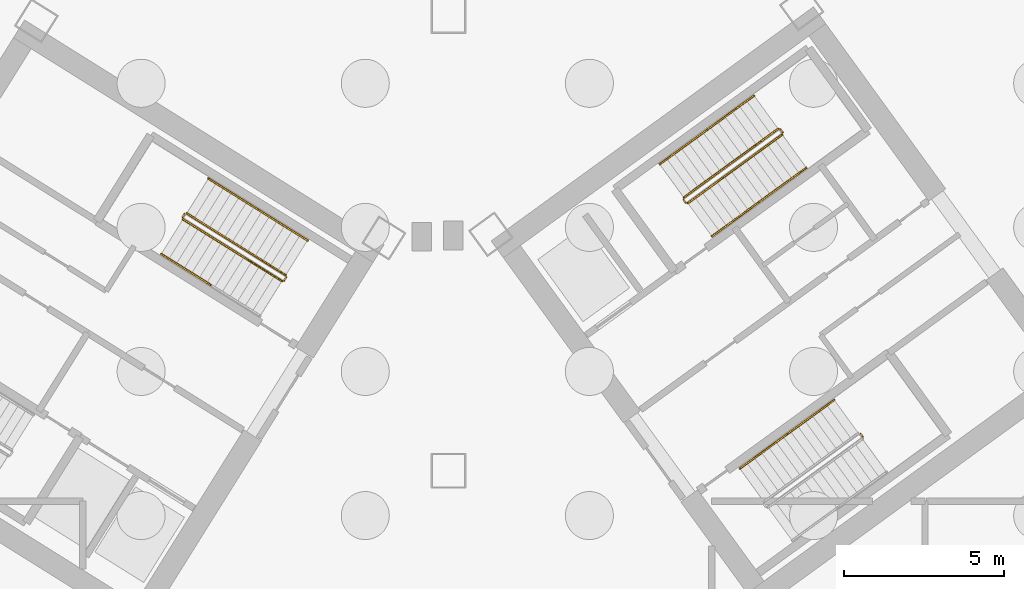
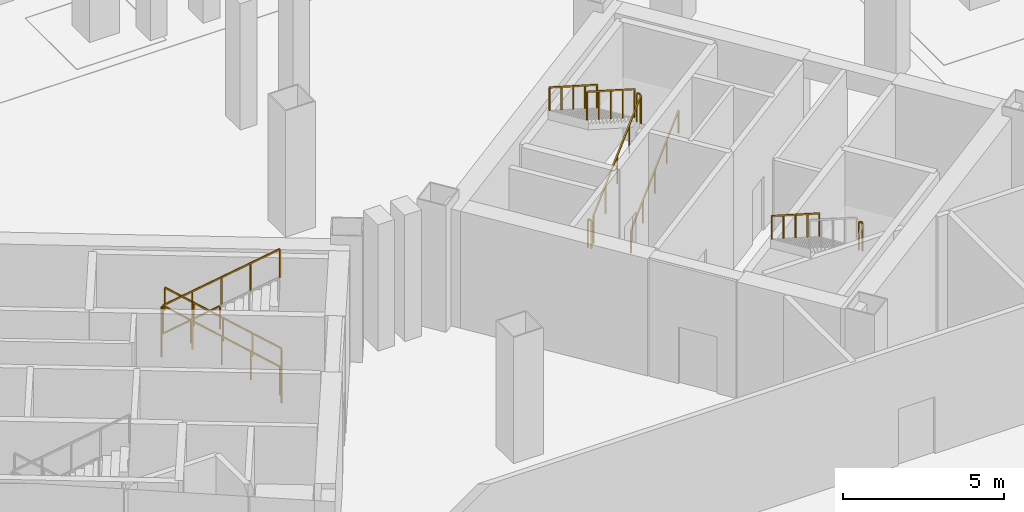
# One storey, part 10 of 11: 18 railings.
"""IFC4 building model written with IfcOpenShell, lengths in metres."""

from ifc_helpers import new_model, si_unit, direction, frame, origin, origin_2d, place, context, subcontext, project, spatial, rectangle, extrude, source, transform, mapped, material, type_object, element, save


model = new_model("IFC4")

# Units and contexts
model_context = context("Model", 3, precision=1e-05, world=origin(), true_north=direction((0.0, 1.0)))
body_context = subcontext(model_context, "Body", "Model", "MODEL_VIEW")
ifc_project = project(units=[si_unit("LENGTHUNIT", "METRE"), si_unit("AREAUNIT", "SQUARE_METRE"), si_unit("VOLUMEUNIT", "CUBIC_METRE"), si_unit("PLANEANGLEUNIT", "RADIAN"), si_unit("MASSUNIT", "GRAM", prefix="KILO")], contexts=[model_context])

# Site, building, storey
site_placement = place(None, origin())
site = spatial("IfcSite", under=ifc_project, at=site_placement, CompositionType="ELEMENT")
building_placement = place(site_placement, origin())
building = spatial("IfcBuilding", under=site, at=building_placement, Name="Tlacorven Tower", CompositionType="ELEMENT")
storey_placement = place(building_placement, frame((0.0, 0.0, -9.60009765625)))
storey = spatial("IfcBuildingStorey", under=building, at=storey_placement, Name="B2", CompositionType="ELEMENT", Elevation=-9.60009765625)

# Railings
ifc_material = material(Name="Aluminium and painted steel balustrade", Category="steel")
railing_type_1 = type_object("IfcRailingType", Name="RL-GRD-1100", PredefinedType="GUARDRAIL", material=ifc_material)
shared_shape_1 = source(origin(), body_context, "Body", "SweptSolid", [
    extrude(rectangle(XDim=0.048095703125, YDim=0.048095703125, at=origin_2d()), frame((0.0, 0.0, 1.076171875), z_axis=(-0.723262235119, 0.451953093932, 0.522139962209), x_axis=(-0.529926592015, -0.848043517206, 0.0)), (0.0, 0.0, 1.0), 4.26806640625),
    extrude(rectangle(XDim=0.0419921875, YDim=0.0419921875, at=origin_2d()), origin(), (0.0, 0.0, 1.0), 1.052001953125),
    extrude(rectangle(XDim=0.0419921875, YDim=0.0419921875, at=origin_2d()), frame((-0.771728515625, 0.482177734375, 0.55712890625)), (0.0, 0.0, 1.0), 1.052001953125),
    extrude(rectangle(XDim=0.0419921875, YDim=0.0419921875, at=origin_2d()), frame((-1.54345703125, 0.96435546875, 1.1142578125)), (0.0, 0.0, 1.0), 1.052001953125),
    extrude(rectangle(XDim=0.0419921875, YDim=0.0419921875, at=origin_2d()), frame((-2.315185546875, 1.44677734375, 1.67138671875)), (0.0, 0.0, 1.0), 1.052001953125),
    extrude(rectangle(XDim=0.0419921875, YDim=0.0419921875, at=origin_2d()), frame((-3.0869140625, 1.928955078125, 2.228515625)), (0.0, 0.0, 1.0), 1.052001953125),
])
railing_1_placement = place(storey_placement, frame((37.712158203125, 23.3095703125, 0.171630859375)))
element("IfcRailing", 1, at=railing_1_placement, inside=storey, type_object=railing_type_1, Name="B2 ST-W2 stair guard 1", PredefinedType="GUARDRAIL", context=body_context, shape_type="MappedRepresentation", body=[
    mapped(shared_shape_1, transform((0.0, 0.0, 0.0), scale=1.0)),
])
railing_type_2 = type_object("IfcRailingType", Name="RL-HND-0900", PredefinedType="HANDRAIL", material=ifc_material)
shared_shape_2 = source(origin(), body_context, "Body", "SweptSolid", [
    extrude(rectangle(XDim=0.048095703125, YDim=0.048095703125, at=origin_2d()), frame((0.0, 0.0, 0.8759765625), z_axis=(-0.723243536433, 0.451998610004, 0.522126463189), x_axis=(-0.529974825293, -0.848013375222, 0.0)), (0.0, 0.0, 1.0), 2.134033203125),
    extrude(rectangle(XDim=0.0419921875, YDim=0.0419921875, at=origin_2d()), origin(), (0.0, 0.0, 1.0), 0.851806640625),
    extrude(rectangle(XDim=0.0419921875, YDim=0.0419921875, at=origin_2d()), frame((-0.771728515625, 0.482421875, 0.55712890625)), (0.0, 0.0, 1.0), 0.851806640625),
    extrude(rectangle(XDim=0.0419921875, YDim=0.0419921875, at=origin_2d()), frame((-1.54345703125, 0.964599609375, 1.1142578125)), (0.0, 0.0, 1.0), 0.851806640625),
])
railing_2_placement = place(storey_placement, frame((36.84716796875, 25.359375, 1.285888671875)))
element("IfcRailing", 2, at=railing_2_placement, inside=storey, type_object=railing_type_2, Name="B2 ST-W2 stair handrail 2", PredefinedType="HANDRAIL", context=body_context, shape_type="MappedRepresentation", body=[
    mapped(shared_shape_2, transform((0.0, 0.0, 0.0), scale=1.0)),
])
shared_shape_3 = source(origin(), body_context, "Body", "SweptSolid", [
    extrude(rectangle(XDim=0.048095703125, YDim=0.048095703125, at=origin_2d()), frame((0.0, 0.0, 0.8759765625), z_axis=(-0.723280932889, 0.45190757433, 0.522153460567), x_axis=(-0.529878353595, -0.848073658589, 0.0)), (0.0, 0.0, 1.0), 2.134033203125),
    extrude(rectangle(XDim=0.0419921875, YDim=0.0419921875, at=origin_2d()), origin(), (0.0, 0.0, 1.0), 0.851806640625),
    extrude(rectangle(XDim=0.0419921875, YDim=0.0419921875, at=origin_2d()), frame((-0.771728515625, 0.482177734375, 0.55712890625)), (0.0, 0.0, 1.0), 0.851806640625),
    extrude(rectangle(XDim=0.0419921875, YDim=0.0419921875, at=origin_2d()), frame((-1.54345703125, 0.96435546875, 1.1142578125)), (0.0, 0.0, 1.0), 0.851806640625),
])
railing_3_placement = place(storey_placement, frame((38.390625, 24.39501953125, 0.171630859375)))
element("IfcRailing", 3, at=railing_3_placement, inside=storey, type_object=railing_type_2, Name="B2 ST-W2 stair handrail 1", PredefinedType="HANDRAIL", context=body_context, shape_type="MappedRepresentation", body=[
    mapped(shared_shape_3, transform((0.0, 0.0, 0.0), scale=1.0)),
])
shared_shape_4 = source(origin(), body_context, "Body", "SweptSolid", [
    extrude(rectangle(XDim=0.048095703125, YDim=0.048095703125, at=origin_2d()), frame((0.0, 0.0, 0.8759765625), z_axis=(0.723280932889, -0.45190757433, 0.522153460567), x_axis=(0.529878353595, 0.848073658589, 0.0)), (0.0, 0.0, 1.0), 2.134033203125),
    extrude(rectangle(XDim=0.0419921875, YDim=0.0419921875, at=origin_2d()), origin(), (0.0, 0.0, 1.0), 0.851806640625),
    extrude(rectangle(XDim=0.0419921875, YDim=0.0419921875, at=origin_2d()), frame((0.771728515625, -0.482177734375, 0.55712890625)), (0.0, 0.0, 1.0), 0.851806640625),
    extrude(rectangle(XDim=0.0419921875, YDim=0.0419921875, at=origin_2d()), frame((1.54345703125, -0.96435546875, 1.1142578125)), (0.0, 0.0, 1.0), 0.851806640625),
])
railing_4_placement = place(storey_placement, frame((33.83056640625, 23.96630859375, 2.571533203125)))
element("IfcRailing", 4, at=railing_4_placement, inside=storey, type_object=railing_type_2, Name="B2 ST-W2 stair handrail 3", PredefinedType="HANDRAIL", context=body_context, shape_type="MappedRepresentation", body=[
    mapped(shared_shape_4, transform((0.0, 0.0, 0.0), scale=1.0)),
])
shared_shape_5 = source(origin(), body_context, "Body", "SweptSolid", [
    extrude(rectangle(XDim=0.048095703125, YDim=0.048095703125, at=origin_2d()), frame((0.0, 0.0, 1.076171875), z_axis=(-0.530546985787, -0.847655529016, 0.0), x_axis=(0.847655529016, -0.530546985787, 0.0)), (0.0, 0.0, 1.0), 0.1201171875),
    extrude(rectangle(XDim=0.0419921875, YDim=0.0419921875, at=origin_2d()), origin(), (0.0, 0.0, 1.0), 1.052001953125),
    extrude(rectangle(XDim=0.0419921875, YDim=0.0419921875, at=origin_2d()), frame((-0.063720703125, -0.101806640625, 0.0)), (0.0, 0.0, 1.0), 1.052001953125),
])
railing_5_placement = place(storey_placement, frame((37.728271484375, 23.24072265625, 0.0)))
element("IfcRailing", 5, at=railing_5_placement, inside=storey, type_object=railing_type_1, Name="B2 ST-W2 stair guard 4", PredefinedType="GUARDRAIL", context=body_context, shape_type="MappedRepresentation", body=[
    mapped(shared_shape_5, transform((0.0, 0.0, 0.0), scale=1.0)),
])
shared_shape_6 = source(origin(), body_context, "Body", "SweptSolid", [
    extrude(rectangle(XDim=0.048095703125, YDim=0.048095703125, at=origin_2d()), frame((0.0, 0.0, 1.076171875), z_axis=(-0.529998940003, -0.847998304005, 0.0), x_axis=(0.847998304005, -0.529998940003, 0.0)), (0.0, 0.0, 1.0), 0.119873046875),
    extrude(rectangle(XDim=0.0419921875, YDim=0.0419921875, at=origin_2d()), origin(), (0.0, 0.0, 1.0), 1.052001953125),
    extrude(rectangle(XDim=0.0419921875, YDim=0.0419921875, at=origin_2d()), frame((-0.0634765625, -0.1015625, 0.0)), (0.0, 0.0, 1.0), 1.052001953125),
])
railing_6_placement = place(storey_placement, frame((34.556396484375, 25.222412109375, 2.400146484375)))
element("IfcRailing", 6, at=railing_6_placement, inside=storey, type_object=railing_type_1, Name="B2 ST-W2 stair guard 2", PredefinedType="GUARDRAIL", context=body_context, shape_type="MappedRepresentation", body=[
    mapped(shared_shape_6, transform((0.0, 0.0, 0.0), scale=1.0)),
])
shared_shape_7 = source(origin(), body_context, "Body", "SweptSolid", [
    extrude(rectangle(XDim=0.048095703125, YDim=0.048095703125, at=origin_2d()), frame((0.0, 0.0, 1.076171875), z_axis=(0.723280932889, -0.45190757433, 0.522153460567), x_axis=(0.529878353595, 0.848073658589, 0.0)), (0.0, 0.0, 1.0), 4.267822265625),
    extrude(rectangle(XDim=0.0419921875, YDim=0.0419921875, at=origin_2d()), origin(), (0.0, 0.0, 1.0), 1.052001953125),
    extrude(rectangle(XDim=0.0419921875, YDim=0.0419921875, at=origin_2d()), frame((0.771728515625, -0.482177734375, 0.55712890625)), (0.0, 0.0, 1.0), 1.052001953125),
    extrude(rectangle(XDim=0.0419921875, YDim=0.0419921875, at=origin_2d()), frame((1.54345703125, -0.96435546875, 1.1142578125)), (0.0, 0.0, 1.0), 1.052001953125),
    extrude(rectangle(XDim=0.0419921875, YDim=0.0419921875, at=origin_2d()), frame((2.315185546875, -1.446533203125, 1.67138671875)), (0.0, 0.0, 1.0), 1.052001953125),
    extrude(rectangle(XDim=0.0419921875, YDim=0.0419921875, at=origin_2d()), frame((3.0869140625, -1.9287109375, 2.228515625)), (0.0, 0.0, 1.0), 1.052001953125),
])
railing_7_placement = place(storey_placement, frame((34.5087890625, 25.0517578125, 2.571533203125)))
element("IfcRailing", 7, at=railing_7_placement, inside=storey, type_object=railing_type_1, Name="B2 ST-W2 stair guard 3", PredefinedType="GUARDRAIL", context=body_context, shape_type="MappedRepresentation", body=[
    mapped(shared_shape_7, transform((0.0, 0.0, 0.0), scale=1.0)),
])
shared_shape_8 = source(origin(), body_context, "Body", "SweptSolid", [
    extrude(rectangle(XDim=0.048095703125, YDim=0.048095703125, at=origin_2d()), frame((0.0, 0.0, 1.076171875), z_axis=(0.689957088216, 0.501292924636, 0.522172979126), x_axis=(-0.587792740661, 0.809011553704, 0.0)), (0.0, 0.0, 1.0), 4.267822265625),
    extrude(rectangle(XDim=0.0419921875, YDim=0.0419921875, at=origin_2d()), origin(), (0.0, 0.0, 1.0), 1.052001953125),
    extrude(rectangle(XDim=0.0419921875, YDim=0.0419921875, at=origin_2d()), frame((0.736083984375, 0.534912109375, 0.55712890625)), (0.0, 0.0, 1.0), 1.052001953125),
    extrude(rectangle(XDim=0.0419921875, YDim=0.0419921875, at=origin_2d()), frame((1.47216796875, 1.06982421875, 1.1142578125)), (0.0, 0.0, 1.0), 1.052001953125),
    extrude(rectangle(XDim=0.0419921875, YDim=0.0419921875, at=origin_2d()), frame((2.20849609375, 1.6044921875, 1.67138671875)), (0.0, 0.0, 1.0), 1.052001953125),
    extrude(rectangle(XDim=0.0419921875, YDim=0.0419921875, at=origin_2d()), frame((2.944580078125, 2.139404296875, 2.228515625)), (0.0, 0.0, 1.0), 1.052001953125),
])
railing_8_placement = place(storey_placement, frame((50.27734375, 25.557861328125, 0.171630859375)))
element("IfcRailing", 8, at=railing_8_placement, inside=storey, type_object=railing_type_1, Name="B2 ST-E1 stair guard 1", PredefinedType="GUARDRAIL", context=body_context, shape_type="MappedRepresentation", body=[
    mapped(shared_shape_8, transform((0.0, 0.0, 0.0), scale=1.0)),
])
shared_shape_9 = source(origin(), body_context, "Body", "SweptSolid", [
    extrude(rectangle(XDim=0.048095703125, YDim=0.048095703125, at=origin_2d()), frame((0.0, 0.0, 1.076171875), z_axis=(-0.587567097037, 0.809175448515, 0.0), x_axis=(-0.809175448515, -0.587567097037, 0.0)), (0.0, 0.0, 1.0), 0.1201171875),
    extrude(rectangle(XDim=0.0419921875, YDim=0.0419921875, at=origin_2d()), origin(), (0.0, 0.0, 1.0), 1.052001953125),
    extrude(rectangle(XDim=0.0419921875, YDim=0.0419921875, at=origin_2d()), frame((-0.070556640625, 0.09716796875, 0.0)), (0.0, 0.0, 1.0), 1.052001953125),
])
for number, where, name in (
    (9, (53.233154296875, 27.76708984375, 2.400146484375), "B2 ST-E1 stair guard 2"),
    (10, (55.737060546875, 18.263916015625, 2.400146484375), "B2 ST-E2 stair guard 2"),
):
    element("IfcRailing", number, at=place(storey_placement, frame(where)), inside=storey, type_object=railing_type_1, Name=name, PredefinedType="GUARDRAIL", context=body_context, shape_type="MappedRepresentation", body=[
        mapped(shared_shape_9, transform((0.0, 0.0, 0.0), scale=1.0)),
    ])
shared_shape_10 = source(origin(), body_context, "Body", "SweptSolid", [
    extrude(rectangle(XDim=0.048095703125, YDim=0.048095703125, at=origin_2d()), frame((0.0, 0.0, 1.076171875), z_axis=(-0.689987059858, -0.501273139242, 0.522152369623), x_axis=(0.587760844897, -0.809034726823, 0.0)), (0.0, 0.0, 1.0), 4.267822265625),
    extrude(rectangle(XDim=0.0419921875, YDim=0.0419921875, at=origin_2d()), origin(), (0.0, 0.0, 1.0), 1.052001953125),
    extrude(rectangle(XDim=0.0419921875, YDim=0.0419921875, at=origin_2d()), frame((-0.736328125, -0.534912109375, 0.55712890625)), (0.0, 0.0, 1.0), 1.052001953125),
    extrude(rectangle(XDim=0.0419921875, YDim=0.0419921875, at=origin_2d()), frame((-1.472412109375, -1.06982421875, 1.1142578125)), (0.0, 0.0, 1.0), 1.052001953125),
    extrude(rectangle(XDim=0.0419921875, YDim=0.0419921875, at=origin_2d()), frame((-2.20849609375, -1.6044921875, 1.67138671875)), (0.0, 0.0, 1.0), 1.052001953125),
    extrude(rectangle(XDim=0.0419921875, YDim=0.0419921875, at=origin_2d()), frame((-2.94482421875, -2.139404296875, 2.228515625)), (0.0, 0.0, 1.0), 1.052001953125),
])
railing_9_placement = place(storey_placement, frame((53.0927734375, 27.875244140625, 2.571533203125)))
element("IfcRailing", 11, at=railing_9_placement, inside=storey, type_object=railing_type_1, Name="B2 ST-E1 stair guard 3", PredefinedType="GUARDRAIL", context=body_context, shape_type="MappedRepresentation", body=[
    mapped(shared_shape_10, transform((0.0, 0.0, 0.0), scale=1.0)),
])
shared_shape_11 = source(origin(), body_context, "Body", "SweptSolid", [
    extrude(rectangle(XDim=0.048095703125, YDim=0.048095703125, at=origin_2d()), frame((0.0, 0.0, 1.076171875), z_axis=(-0.587201422542, 0.809440849824, 0.0), x_axis=(-0.809440849824, -0.587201422542, 0.0)), (0.0, 0.0, 1.0), 0.11962890625),
    extrude(rectangle(XDim=0.0419921875, YDim=0.0419921875, at=origin_2d()), origin(), (0.0, 0.0, 1.0), 1.052001953125),
    extrude(rectangle(XDim=0.0419921875, YDim=0.0419921875, at=origin_2d()), frame((-0.0703125, 0.096923828125, 0.0)), (0.0, 0.0, 1.0), 1.052001953125),
])
railing_10_placement = place(storey_placement, frame((50.207275390625, 25.56884765625, 0.0)))
element("IfcRailing", 12, at=railing_10_placement, inside=storey, type_object=railing_type_1, Name="B2 ST-E1 stair guard 4", PredefinedType="GUARDRAIL", context=body_context, shape_type="MappedRepresentation", body=[
    mapped(shared_shape_11, transform((0.0, 0.0, 0.0), scale=1.0)),
])
shared_shape_12 = source(origin(), body_context, "Body", "SweptSolid", [
    extrude(rectangle(XDim=0.048095703125, YDim=0.048095703125, at=origin_2d()), frame((0.0, 0.0, 0.8759765625), z_axis=(0.689967274537, 0.501315967008, 0.522137396947), x_axis=(-0.587804744085, 0.8090028324, 0.0)), (0.0, 0.0, 1.0), 2.134033203125),
    extrude(rectangle(XDim=0.0419921875, YDim=0.0419921875, at=origin_2d()), origin(), (0.0, 0.0, 1.0), 0.851806640625),
    extrude(rectangle(XDim=0.0419921875, YDim=0.0419921875, at=origin_2d()), frame((0.736328125, 0.534912109375, 0.55712890625)), (0.0, 0.0, 1.0), 0.851806640625),
    extrude(rectangle(XDim=0.0419921875, YDim=0.0419921875, at=origin_2d()), frame((1.472412109375, 1.06982421875, 1.1142578125)), (0.0, 0.0, 1.0), 0.851806640625),
])
railing_11_placement = place(storey_placement, frame((51.029541015625, 24.522216796875, 0.171630859375)))
element("IfcRailing", 13, at=railing_11_placement, inside=storey, type_object=railing_type_2, Name="B2 ST-E1 stair handrail 1", PredefinedType="HANDRAIL", context=body_context, shape_type="MappedRepresentation", body=[
    mapped(shared_shape_12, transform((0.0, 0.0, 0.0), scale=1.0)),
])
shared_shape_13 = source(origin(), body_context, "Body", "SweptSolid", [
    extrude(rectangle(XDim=0.048095703125, YDim=0.048095703125, at=origin_2d()), frame((0.0, 0.0, 0.8759765625), z_axis=(0.690006844623, 0.501230307792, 0.522167341877), x_axis=(-0.587716940517, 0.809066621379, 0.0)), (0.0, 0.0, 1.0), 2.1337890625),
    extrude(rectangle(XDim=0.0419921875, YDim=0.0419921875, at=origin_2d()), origin(), (0.0, 0.0, 1.0), 0.851806640625),
    extrude(rectangle(XDim=0.0419921875, YDim=0.0419921875, at=origin_2d()), frame((0.736328125, 0.53466796875, 0.55712890625)), (0.0, 0.0, 1.0), 0.851806640625),
    extrude(rectangle(XDim=0.0419921875, YDim=0.0419921875, at=origin_2d()), frame((1.472412109375, 1.069580078125, 1.1142578125)), (0.0, 0.0, 1.0), 0.851806640625),
])
railing_12_placement = place(storey_placement, frame((52.501953125, 25.592041015625, 1.285888671875)))
element("IfcRailing", 14, at=railing_12_placement, inside=storey, type_object=railing_type_2, Name="B2 ST-E1 stair handrail 2", PredefinedType="HANDRAIL", context=body_context, shape_type="MappedRepresentation", body=[
    mapped(shared_shape_13, transform((0.0, 0.0, 0.0), scale=1.0)),
])
shared_shape_14 = source(origin(), body_context, "Body", "SweptSolid", [
    extrude(rectangle(XDim=0.048095703125, YDim=0.048095703125, at=origin_2d()), frame((0.0, 0.0, 0.8759765625), z_axis=(-0.689967274537, -0.501315967008, 0.522137396947), x_axis=(0.587804744085, -0.8090028324, 0.0)), (0.0, 0.0, 1.0), 2.134033203125),
    extrude(rectangle(XDim=0.0419921875, YDim=0.0419921875, at=origin_2d()), origin(), (0.0, 0.0, 1.0), 0.851806640625),
    extrude(rectangle(XDim=0.0419921875, YDim=0.0419921875, at=origin_2d()), frame((-0.736328125, -0.534912109375, 0.55712890625)), (0.0, 0.0, 1.0), 0.851806640625),
    extrude(rectangle(XDim=0.0419921875, YDim=0.0419921875, at=origin_2d()), frame((-1.472412109375, -1.06982421875, 1.1142578125)), (0.0, 0.0, 1.0), 0.851806640625),
])
for number, where, name in (
    (15, (52.34033203125, 28.910888671875, 2.571533203125), "B2 ST-E1 stair handrail 3"),
    (16, (50.867919921875, 27.841064453125, 3.685791015625), "B2 ST-E1 stair handrail 4"),
    (17, (54.844482421875, 19.40771484375, 2.571533203125), "B2 ST-E2 stair handrail 3"),
    (18, (53.3720703125, 18.337890625, 3.685791015625), "B2 ST-E2 stair handrail 4"),
):
    element("IfcRailing", number, at=place(storey_placement, frame(where)), inside=storey, type_object=railing_type_2, Name=name, PredefinedType="HANDRAIL", context=body_context, shape_type="MappedRepresentation", body=[
        mapped(shared_shape_14, transform((0.0, 0.0, 0.0), scale=1.0)),
    ])

save(model, "model.ifc")
